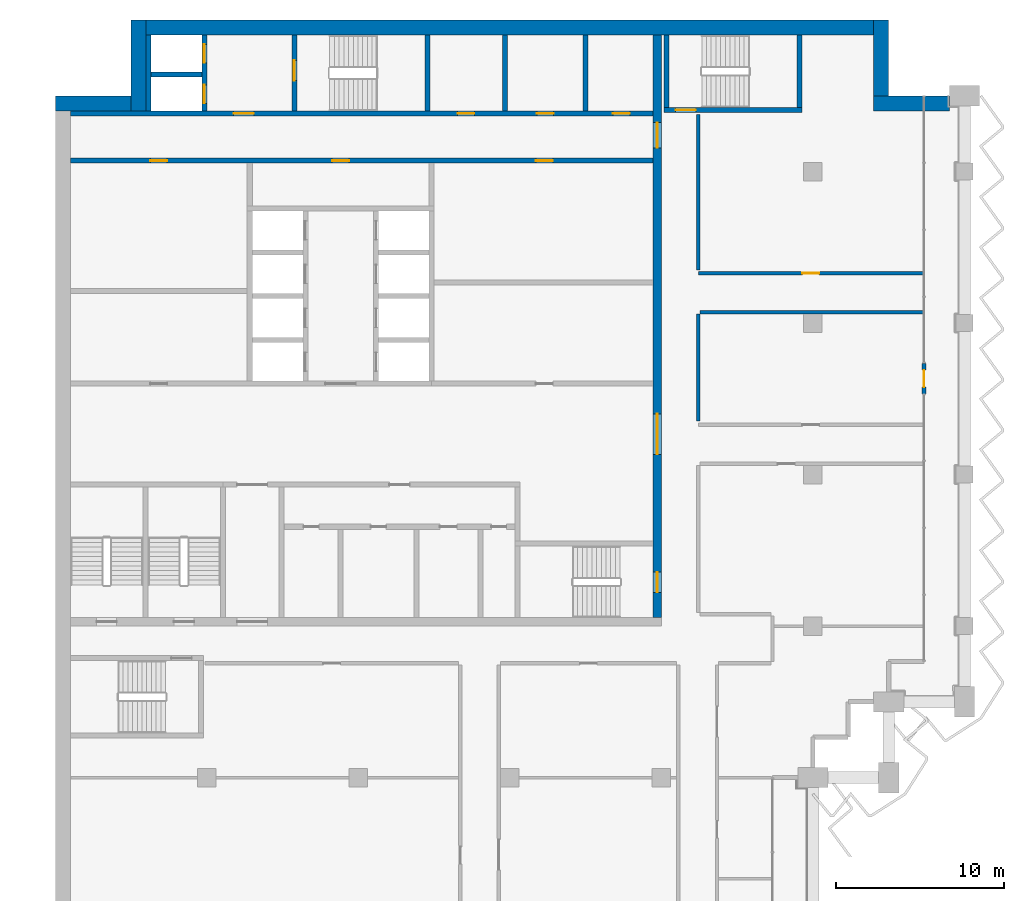
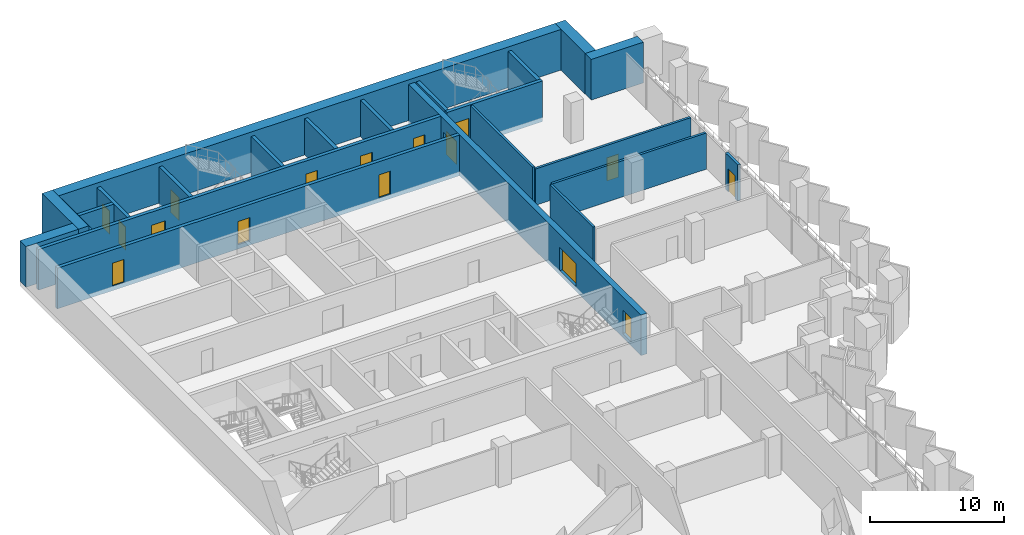
# One storey, part 10 of 17: 23 walls, 16 doors, 16 openings.
"""IFC4 building model written with IfcOpenShell, lengths in metres."""

from ifc_helpers import new_model, si_unit, direction, frame, frame_2d, origin, place, context, subcontext, project, spatial, rectangle, extrude, material, layer, layer_set, type_object, element, fill, save


model = new_model("IFC4")

# Units and contexts
model_context = context("Model", 3, precision=1e-05, world=origin(), true_north=direction((0.0, 1.0)))
body_context = subcontext(model_context, "Body", "Model", "MODEL_VIEW")
ifc_project = project(units=[si_unit("LENGTHUNIT", "METRE"), si_unit("AREAUNIT", "SQUARE_METRE"), si_unit("VOLUMEUNIT", "CUBIC_METRE"), si_unit("PLANEANGLEUNIT", "RADIAN"), si_unit("MASSUNIT", "GRAM", prefix="KILO")], contexts=[model_context])

# Site, building, storey
site_placement = place(None, origin())
site = spatial("IfcSite", under=ifc_project, at=site_placement, CompositionType="ELEMENT")
building_placement = place(site_placement, origin())
building = spatial("IfcBuilding", under=site, at=building_placement, Name="Hunhe Ridgeline Campus", CompositionType="ELEMENT")
storey_placement = place(building_placement, frame((0.0, 0.0, 201.300048828125)))
storey = spatial("IfcBuildingStorey", under=building, at=storey_placement, Name="L51", CompositionType="ELEMENT", Elevation=201.300048828125)

# Walls
ifc_material_1 = material(Name="Masonry concrete blockwork", Category="masonry")
ifc_layer_1 = layer(ifc_material_1, 0.300048828125)
ifc_layer_set_1 = layer_set([ifc_layer_1], Name="Core room partition 300 concrete block")
wall_type_1 = type_object("IfcWallType", Name="Core room partition 300 concrete block", PredefinedType="PARTITIONING", material=ifc_layer_set_1)
for number, where, z_axis, x_axis, name in (
    (1, (26.699951171875, 93.60009765625, 0.0), (0.0, 0.0, 1.0), (0.0, 1.0, 0.0), "L51 core partition 47"),
    (2, (31.5, 93.60009765625, 0.0), (0.0, 0.0, 1.0), (0.0, 1.0, 0.0), "L51 core partition 50"),
):
    element("IfcWall", number, at=place(storey_placement, frame(where, z_axis=z_axis, x_axis=x_axis)), inside=storey, type_object=wall_type_1, Name=name, PredefinedType="PARTITIONING", context=body_context, shape_type="SweptSolid", body=[
        extrude(rectangle(XDim=4.5, YDim=0.300048828125, at=frame_2d((2.25, 0.0))), origin(), (0.0, 0.0, 1.0), 3.300048828125),
    ])

# Wall, openings, doors
ifc_material_2 = material(Name="Concrete C60", Category="concrete")
ifc_layer_2 = layer(ifc_material_2, 0.5)
ifc_layer_set_2 = layer_set([ifc_layer_2], Name="Core wall 500 reinforced concrete C60")
wall_type_2 = type_object("IfcWallType", Name="Core wall 500 reinforced concrete C60", PredefinedType="SOLIDWALL", material=ifc_layer_set_2)
wall_1_placement = place(storey_placement, frame((35.75, 63.5, -0.400146484375), z_axis=(0.0, 0.0, 1.0), x_axis=(0.0, 1.0, 0.0)))
wall_1 = element("IfcWall", 3, at=wall_1_placement, inside=storey, type_object=wall_type_2, Name="L51 core wall 51", PredefinedType="SOLIDWALL", context=body_context, shape_type="SweptSolid", body=[
    extrude(rectangle(XDim=34.60009765625, YDim=0.5, at=frame_2d((17.300048828125, 0.0))), origin(), (0.0, 0.0, 1.0), 3.7001953125),
])
opening_1_placement = place(wall_1_placement, frame((9.699951171875, 0.0, 0.39990234375)))
opening_1 = element("IfcOpeningElement", 4, at=opening_1_placement, cuts=wall_1, Name="Opening CD4", PredefinedType="OPENING", context=body_context, shape_type="SweptSolid", body=[
    extrude(rectangle(XDim=2.39990234375, YDim=2.10009765625, at=frame_2d((1.199951171875, 1.050048828125))), frame((0.0, 0.25, 0.0), z_axis=(0.0, -1.0, 0.0), x_axis=(1.0, 0.0, 0.0)), (0.0, 0.0, 1.0), 0.5),
])
opening_2_placement = place(wall_1_placement, frame((27.89990234375, 0.0, 0.39990234375)))
opening_2 = element("IfcOpeningElement", 5, at=opening_2_placement, cuts=wall_1, Name="Opening CD5", PredefinedType="OPENING", context=body_context, shape_type="SweptSolid", body=[
    extrude(rectangle(XDim=1.5, YDim=2.10009765625, at=frame_2d((0.75, 1.050048828125))), frame((0.0, 0.25, 0.0), z_axis=(0.0, -1.0, 0.0), x_axis=(1.0, 0.0, 0.0)), (0.0, 0.0, 1.0), 0.5),
])
opening_3_placement = place(wall_1_placement, frame((1.5, 0.0, 0.39990234375)))
opening_3 = element("IfcOpeningElement", 6, at=opening_3_placement, cuts=wall_1, Name="Opening CD15", PredefinedType="OPENING", context=body_context, shape_type="SweptSolid", body=[
    extrude(rectangle(XDim=1.199951171875, YDim=2.10009765625, at=frame_2d((0.60009765625, 1.050048828125))), frame((0.0, 0.25, 0.0), z_axis=(0.0, -1.0, 0.0), x_axis=(1.0, 0.0, 0.0)), (0.0, 0.0, 1.0), 0.5),
])
ifc_material_3 = material(Name="Anodised aluminium and glass", Category="aluminium")
door_type_1 = type_object("IfcDoorType", Name="Glazed double door 2400x2100", OperationType="DOUBLE_DOOR_SINGLE_SWING", PredefinedType="DOOR", material=ifc_material_3)
door_1_placement = place(opening_1_placement, frame((2.39990234375, 0.0, 0.0), z_axis=(0.0, 0.0, 1.0), x_axis=(-1.0, 0.0, 0.0)))
door_1 = element("IfcDoor", 7, at=door_1_placement, inside=storey, type_object=door_type_1, Name="L51 door HALL-FLOOR", OperationType="DOUBLE_DOOR_SINGLE_SWING", OverallHeight=2.10009765625, OverallWidth=2.39990234375, PredefinedType="DOOR", context=body_context, shape_type="SweptSolid", body=[
    extrude(rectangle(XDim=2.39990234375, YDim=2.10009765625, at=frame_2d((1.199951171875, 1.050048828125))), frame((0.0, 0.02490234375, 0.0), z_axis=(0.0, -1.0, 0.0), x_axis=(1.0, 0.0, 0.0)), (0.0, 0.0, 1.0), 0.050048828125),
])
fill(opening_1, door_1)
ifc_material_4 = material(Name="Hollow metal fire door leaf")
door_type_2 = type_object("IfcDoorType", Name="Stair door 1200x2100 FD60", OperationType="SINGLE_SWING_LEFT", PredefinedType="DOOR", material=ifc_material_4)
door_2_placement = place(opening_3_placement, frame((1.199951171875, 0.0, 0.0), z_axis=(0.0, 0.0, 1.0), x_axis=(-1.0, 0.0, 0.0)))
door_2 = element("IfcDoor", 8, at=door_2_placement, inside=storey, type_object=door_type_2, Name="L51 door S2-FLOOR", OperationType="SINGLE_SWING_LEFT", OverallHeight=2.10009765625, OverallWidth=1.199951171875, PredefinedType="DOOR", context=body_context, shape_type="SweptSolid", body=[
    extrude(rectangle(XDim=1.199951171875, YDim=2.10009765625, at=frame_2d((0.60009765625, 1.050048828125))), frame((0.0, 0.02490234375, 0.0), z_axis=(0.0, -1.0, 0.0), x_axis=(1.0, 0.0, 0.0)), (0.0, 0.0, 1.0), 0.050048828125),
])
fill(opening_3, door_2)
ifc_material_5 = material(Name="Solid core timber door leaf", Category="wood")
door_type_3 = type_object("IfcDoorType", Name="Timber door 1500x2100", OperationType="SINGLE_SWING_LEFT", PredefinedType="DOOR", material=ifc_material_5)
door_3_placement = place(opening_2_placement, frame((1.5, 0.0, 0.0), z_axis=(0.0, 0.0, 1.0), x_axis=(-1.0, 0.0, 0.0)))
door_3 = element("IfcDoor", 9, at=door_3_placement, inside=storey, type_object=door_type_3, Name="L51 door C1-FLOOR", OperationType="SINGLE_SWING_LEFT", OverallHeight=2.10009765625, OverallWidth=1.5, PredefinedType="DOOR", context=body_context, shape_type="SweptSolid", body=[
    extrude(rectangle(XDim=1.5, YDim=2.10009765625, at=frame_2d((0.75, 1.050048828125))), frame((0.0, 0.02490234375, 0.0), z_axis=(0.0, -1.0, 0.0), x_axis=(1.0, 0.0, 0.0)), (0.0, 0.0, 1.0), 0.050048828125),
])
fill(opening_2, door_3)

# Wall
ifc_material_6 = material(Name="Gypsum board partition")
ifc_layer_3 = layer(ifc_material_6, 0.199951171875)
ifc_layer_set_3 = layer_set([ifc_layer_3], Name="Corridor partition 200 gypsum board on steel studs")
wall_type_3 = type_object("IfcWallType", Name="Corridor partition 200 gypsum board on steel studs", PredefinedType="PARTITIONING", material=ifc_layer_set_3)
wall_2_placement = place(storey_placement, frame((51.544921875, 81.64990234375, 0.0), z_axis=(0.0, 0.0, 1.0), x_axis=(-1.0, 0.0, 0.0)))
element("IfcWall", 10, at=wall_2_placement, inside=storey, type_object=wall_type_3, Name="F-L51-wall-034", PredefinedType="PARTITIONING", context=body_context, shape_type="SweptSolid", body=[
    extrude(rectangle(XDim=13.244873046875, YDim=0.199951171875, at=frame_2d((6.62255859375, 0.0))), origin(), (0.0, 0.0, 1.0), 3.300048828125),
])

# Wall, opening, door
wall_3_placement = place(storey_placement, frame((38.199951171875, 83.949951171875, 0.0), z_axis=(0.0, 0.0, 1.0), x_axis=(1.0, 0.0, 0.0)))
wall_3 = element("IfcWall", 11, at=wall_3_placement, inside=storey, type_object=wall_type_3, Name="F-L51-wall-035", PredefinedType="PARTITIONING", context=body_context, shape_type="SweptSolid", body=[
    extrude(rectangle(XDim=13.344970703125, YDim=0.199951171875, at=frame_2d((6.67236328125, 0.0))), origin(), (0.0, 0.0, 1.0), 3.300048828125),
])
opening_4_placement = place(wall_3_placement, frame((6.172607421875, 0.0, 0.0)))
opening_4 = element("IfcOpeningElement", 12, at=opening_4_placement, cuts=wall_3, Name="Opening RD1-018", PredefinedType="OPENING", context=body_context, shape_type="SweptSolid", body=[
    extrude(rectangle(XDim=1.0, YDim=2.10009765625, at=frame_2d((0.5, 1.050048828125))), frame((0.0, 0.10009765625, 0.0), z_axis=(0.0, -1.0, 0.0), x_axis=(1.0, 0.0, 0.0)), (0.0, 0.0, 1.0), 0.199951171875),
])
ifc_material_7 = material(Name="Timber door leaf", Category="wood")
door_type_4 = type_object("IfcDoorType", Name="Single fire door 1000x2100 timber FD60", OperationType="NOTDEFINED", PredefinedType="DOOR", material=ifc_material_7)
door_4_placement = place(opening_4_placement, origin())
door_4 = element("IfcDoor", 13, at=door_4_placement, inside=storey, type_object=door_type_4, Name="F-L51-door-018", OperationType="SINGLE_SWING_LEFT", OverallHeight=2.10009765625, OverallWidth=1.0, PredefinedType="DOOR", context=body_context, shape_type="SweptSolid", body=[
    extrude(rectangle(XDim=1.0, YDim=2.10009765625, at=frame_2d((0.5, 1.050048828125))), frame((0.0, 0.02490234375, 0.0), z_axis=(0.0, -1.0, 0.0), x_axis=(1.0, 0.0, 0.0)), (0.0, 0.0, 1.0), 0.050048828125),
])
fill(opening_4, door_4)

# Walls
wall_4_placement = place(storey_placement, frame((38.199951171875, 81.550048828125, 0.0), z_axis=(0.0, 0.0, 1.0), x_axis=(0.0, -1.0, 0.0)))
element("IfcWall", 14, at=wall_4_placement, inside=storey, type_object=wall_type_3, Name="F-L51-wall-045", PredefinedType="PARTITIONING", context=body_context, shape_type="SweptSolid", body=[
    extrude(rectangle(XDim=6.37060546875, YDim=0.199951171875, at=frame_2d((3.185302734375, 0.0))), origin(), (0.0, 0.0, 1.0), 3.300048828125),
])
wall_5_placement = place(storey_placement, frame((38.199951171875, 93.39599609375, 0.0), z_axis=(0.0, 0.0, 1.0), x_axis=(0.0, -1.0, 0.0)))
element("IfcWall", 15, at=wall_5_placement, inside=storey, type_object=wall_type_3, Name="F-L51-wall-046", PredefinedType="PARTITIONING", context=body_context, shape_type="SweptSolid", body=[
    extrude(rectangle(XDim=9.232421875, YDim=0.199951171875, at=frame_2d((4.6162109375, 0.0))), origin(), (0.0, 0.0, 1.0), 3.300048828125),
])

# Wall, openings, doors
ifc_layer_4 = layer(ifc_material_2, 0.300048828125)
ifc_layer_set_4 = layer_set([ifc_layer_4], Name="Lobby wall 300 reinforced concrete C60")
wall_type_4 = type_object("IfcWallType", Name="Lobby wall 300 reinforced concrete C60", PredefinedType="SOLIDWALL", material=ifc_layer_set_4)
wall_6_placement = place(storey_placement, frame((0.89990234375, 90.64990234375, -0.400146484375), z_axis=(0.0, 0.0, 1.0), x_axis=(1.0, 0.0, 0.0)))
wall_6 = element("IfcWall", 16, at=wall_6_placement, inside=storey, type_object=wall_type_4, Name="L51 core wall 23", PredefinedType="SOLIDWALL", context=body_context, shape_type="SweptSolid", body=[
    extrude(rectangle(XDim=34.60009765625, YDim=0.300048828125, at=frame_2d((17.300048828125, 0.0))), origin(), (0.0, 0.0, 1.0), 3.7001953125),
])
opening_5_placement = place(wall_6_placement, frame((15.550048828125, 0.0, 0.39990234375)))
opening_5 = element("IfcOpeningElement", 17, at=opening_5_placement, cuts=wall_6, Name="Opening CD26", PredefinedType="OPENING", context=body_context, shape_type="SweptSolid", body=[
    extrude(rectangle(XDim=1.0, YDim=2.10009765625, at=frame_2d((0.5, 1.050048828125))), frame((0.0, 0.14990234375, 0.0), z_axis=(0.0, -1.0, 0.0), x_axis=(1.0, 0.0, 0.0)), (0.0, 0.0, 1.0), 0.300048828125),
])
opening_6_placement = place(wall_6_placement, frame((4.75, 0.0, 0.39990234375)))
opening_6 = element("IfcOpeningElement", 18, at=opening_6_placement, cuts=wall_6, Name="Opening CD40", PredefinedType="OPENING", context=body_context, shape_type="SweptSolid", body=[
    extrude(rectangle(XDim=1.0, YDim=2.10009765625, at=frame_2d((0.5, 1.050048828125))), frame((0.0, 0.14990234375, 0.0), z_axis=(0.0, -1.0, 0.0), x_axis=(1.0, 0.0, 0.0)), (0.0, 0.0, 1.0), 0.300048828125),
])
opening_7_placement = place(wall_6_placement, frame((27.64990234375, 0.0, 0.39990234375)))
opening_7 = element("IfcOpeningElement", 19, at=opening_7_placement, cuts=wall_6, Name="Opening CD33", PredefinedType="OPENING", context=body_context, shape_type="SweptSolid", body=[
    extrude(rectangle(XDim=1.0, YDim=2.10009765625, at=frame_2d((0.5, 1.050048828125))), frame((0.0, 0.14990234375, 0.0), z_axis=(0.0, -1.0, 0.0), x_axis=(1.0, 0.0, 0.0)), (0.0, 0.0, 1.0), 0.300048828125),
])
door_type_5 = type_object("IfcDoorType", Name="Timber door 1000x2100", OperationType="SINGLE_SWING_LEFT", PredefinedType="DOOR", material=ifc_material_5)
door_5_placement = place(opening_5_placement, frame((1.0, 0.0, 0.0), z_axis=(0.0, 0.0, 1.0), x_axis=(-1.0, 0.0, 0.0)))
door_5 = element("IfcDoor", 20, at=door_5_placement, inside=storey, type_object=door_type_5, Name="L51 door NR-0", OperationType="SINGLE_SWING_LEFT", OverallHeight=2.10009765625, OverallWidth=1.0, PredefinedType="DOOR", context=body_context, shape_type="SweptSolid", body=[
    extrude(rectangle(XDim=1.0, YDim=2.10009765625, at=frame_2d((0.5, 1.050048828125))), frame((0.0, 0.02490234375, 0.0), z_axis=(0.0, -1.0, 0.0), x_axis=(1.0, 0.0, 0.0)), (0.0, 0.0, 1.0), 0.050048828125),
])
fill(opening_5, door_5)
door_6_placement = place(opening_6_placement, frame((1.0, 0.0, 0.0), z_axis=(0.0, 0.0, 1.0), x_axis=(-1.0, 0.0, 0.0)))
door_6 = element("IfcDoor", 21, at=door_6_placement, inside=storey, type_object=door_type_5, Name="L51 door VD-LR1", OperationType="SINGLE_SWING_LEFT", OverallHeight=2.10009765625, OverallWidth=1.0, PredefinedType="DOOR", context=body_context, shape_type="SweptSolid", body=[
    extrude(rectangle(XDim=1.0, YDim=2.10009765625, at=frame_2d((0.5, 1.050048828125))), frame((0.0, 0.02490234375, 0.0), z_axis=(0.0, -1.0, 0.0), x_axis=(1.0, 0.0, 0.0)), (0.0, 0.0, 1.0), 0.050048828125),
])
fill(opening_6, door_6)
door_7_placement = place(opening_7_placement, frame((1.0, 0.0, 0.0), z_axis=(0.0, 0.0, 1.0), x_axis=(-1.0, 0.0, 0.0)))
door_7 = element("IfcDoor", 22, at=door_7_placement, inside=storey, type_object=door_type_5, Name="L51 door ES1", OperationType="SINGLE_SWING_RIGHT", OverallHeight=2.10009765625, OverallWidth=1.0, PredefinedType="DOOR", context=body_context, shape_type="SweptSolid", body=[
    extrude(rectangle(XDim=1.0, YDim=2.10009765625, at=frame_2d((0.5, 1.050048828125))), frame((0.0, 0.02490234375, 0.0), z_axis=(0.0, -1.0, 0.0), x_axis=(1.0, 0.0, 0.0)), (0.0, 0.0, 1.0), 0.050048828125),
])
fill(opening_7, door_7)

# Wall, opening, door
ifc_material_8 = material(Name="Concrete C30", Category="concrete")
ifc_layer_5 = layer(ifc_material_8, 0.25)
ifc_layer_set_5 = layer_set([ifc_layer_5], Name="Loggia door pier wall 250 Concrete C30")
wall_type_5 = type_object("IfcWallType", Name="Loggia door pier wall 250 Concrete C30", PredefinedType="SOLIDWALL", material=ifc_layer_set_5)
wall_7_placement = place(storey_placement, frame((51.59912109375, 76.800537109375, 0.0), z_axis=(0.0, 0.0, 1.0), x_axis=(0.0, 1.0, 0.0)))
wall_7 = element("IfcWall", 23, at=wall_7_placement, inside=storey, type_object=wall_type_5, Name="Loggia door pier 3", PredefinedType="SOLIDWALL", context=body_context, shape_type="SweptSolid", body=[
    extrude(rectangle(XDim=1.800048828125, YDim=0.25, at=frame_2d((0.89990234375, 0.0))), origin(), (0.0, 0.0, 1.0), 3.300048828125),
])
opening_8_placement = place(wall_7_placement, frame((0.39990234375, 0.0, 0.0)))
opening_8 = element("IfcOpeningElement", 24, at=opening_8_placement, cuts=wall_7, Name="Opening BD406", PredefinedType="OPENING", context=body_context, shape_type="SweptSolid", body=[
    extrude(rectangle(XDim=1.0, YDim=2.10009765625, at=frame_2d((0.5, 1.050048828125))), frame((0.0, 0.125, 0.0), z_axis=(0.0, -1.0, 0.0), x_axis=(1.0, 0.0, 0.0)), (0.0, 0.0, 1.0), 0.25),
])
ifc_material_9 = material(Name="Aluminium 6063", Category="aluminium")
door_type_6 = type_object("IfcDoorType", Name="Loggia glazed door 1000x2100", OperationType="NOTDEFINED", PredefinedType="DOOR", material=ifc_material_9)
door_8_placement = place(opening_8_placement, frame((1.0, 0.0, 0.0), z_axis=(0.0, 0.0, 1.0), x_axis=(-1.0, 0.0, 0.0)))
door_8 = element("IfcDoor", 25, at=door_8_placement, inside=storey, type_object=door_type_6, Name="Loggia door BD406", OperationType="SINGLE_SWING_LEFT", OverallHeight=2.10009765625, OverallWidth=1.0, PredefinedType="DOOR", context=body_context, shape_type="SweptSolid", body=[
    extrude(rectangle(XDim=1.0, YDim=2.10009765625, at=frame_2d((0.5, 1.050048828125))), frame((0.0, 0.02490234375, 0.0), z_axis=(0.0, -1.0, 0.0), x_axis=(1.0, 0.0, 0.0)), (0.0, 0.0, 1.0), 0.050048828125),
])
fill(opening_8, door_8)

# Wall, openings, doors
ifc_layer_6 = layer(ifc_material_2, 0.300048828125)
ifc_layer_set_6 = layer_set([ifc_layer_6], Name="Shaft wall 300 reinforced concrete C60")
wall_type_6 = type_object("IfcWallType", Name="Shaft wall 300 reinforced concrete C60", PredefinedType="SOLIDWALL", material=ifc_layer_set_6)
wall_8_placement = place(storey_placement, frame((0.89990234375, 93.449951171875, -0.400146484375), z_axis=(0.0, 0.0, 1.0), x_axis=(1.0, 0.0, 0.0)))
wall_8 = element("IfcWall", 26, at=wall_8_placement, inside=storey, type_object=wall_type_6, Name="L51 core wall 24", PredefinedType="SOLIDWALL", context=body_context, shape_type="SweptSolid", body=[
    extrude(rectangle(XDim=34.60009765625, YDim=0.300048828125, at=frame_2d((17.300048828125, 0.0))), origin(), (0.0, 0.0, 1.0), 3.7001953125),
])
opening_9_placement = place(wall_8_placement, frame((9.699951171875, 0.0, 0.39990234375)))
opening_9 = element("IfcOpeningElement", 27, at=opening_9_placement, cuts=wall_8, Name="Opening CD3", PredefinedType="OPENING", context=body_context, shape_type="SweptSolid", body=[
    extrude(rectangle(XDim=1.199951171875, YDim=2.10009765625, at=frame_2d((0.60009765625, 1.050048828125))), frame((0.0, 0.14990234375, 0.0), z_axis=(0.0, -1.0, 0.0), x_axis=(1.0, 0.0, 0.0)), (0.0, 0.0, 1.0), 0.300048828125),
])
opening_10_placement = place(wall_8_placement, frame((23.0, 0.0, 0.39990234375)))
opening_10 = element("IfcOpeningElement", 28, at=opening_10_placement, cuts=wall_8, Name="Opening CD34", PredefinedType="OPENING", context=body_context, shape_type="SweptSolid", body=[
    extrude(rectangle(XDim=1.0, YDim=2.10009765625, at=frame_2d((0.5, 1.050048828125))), frame((0.0, 0.14990234375, 0.0), z_axis=(0.0, -1.0, 0.0), x_axis=(1.0, 0.0, 0.0)), (0.0, 0.0, 1.0), 0.300048828125),
])
opening_11_placement = place(wall_8_placement, frame((27.699951171875, 0.0, 0.39990234375)))
opening_11 = element("IfcOpeningElement", 29, at=opening_11_placement, cuts=wall_8, Name="Opening CD35", PredefinedType="OPENING", context=body_context, shape_type="SweptSolid", body=[
    extrude(rectangle(XDim=1.0, YDim=2.10009765625, at=frame_2d((0.5, 1.050048828125))), frame((0.0, 0.14990234375, 0.0), z_axis=(0.0, -1.0, 0.0), x_axis=(1.0, 0.0, 0.0)), (0.0, 0.0, 1.0), 0.300048828125),
])
opening_12_placement = place(wall_8_placement, frame((32.22509765625, 0.0, 0.39990234375)))
opening_12 = element("IfcOpeningElement", 30, at=opening_12_placement, cuts=wall_8, Name="Opening CD36", PredefinedType="OPENING", context=body_context, shape_type="SweptSolid", body=[
    extrude(rectangle(XDim=1.0, YDim=2.10009765625, at=frame_2d((0.5, 1.050048828125))), frame((0.0, 0.14990234375, 0.0), z_axis=(0.0, -1.0, 0.0), x_axis=(1.0, 0.0, 0.0)), (0.0, 0.0, 1.0), 0.300048828125),
])
door_type_7 = type_object("IfcDoorType", Name="Lobby door 1200x2100 FD60", OperationType="SINGLE_SWING_LEFT", PredefinedType="DOOR", material=ifc_material_4)
door_9_placement = place(opening_9_placement, frame((1.199951171875, 0.0, 0.0), z_axis=(0.0, 0.0, 1.0), x_axis=(-1.0, 0.0, 0.0)))
door_9 = element("IfcDoor", 31, at=door_9_placement, inside=storey, type_object=door_type_7, Name="L51 door FF-C1", OperationType="SINGLE_SWING_RIGHT", OverallHeight=2.10009765625, OverallWidth=1.199951171875, PredefinedType="DOOR", context=body_context, shape_type="SweptSolid", body=[
    extrude(rectangle(XDim=1.199951171875, YDim=2.10009765625, at=frame_2d((0.60009765625, 1.050048828125))), frame((0.0, 0.02490234375, 0.0), z_axis=(0.0, -1.0, 0.0), x_axis=(1.0, 0.0, 0.0)), (0.0, 0.0, 1.0), 0.050048828125),
])
fill(opening_9, door_9)
door_10_placement = place(opening_10_placement, origin())
door_10 = element("IfcDoor", 32, at=door_10_placement, inside=storey, type_object=door_type_5, Name="L51 door NB0", OperationType="SINGLE_SWING_RIGHT", OverallHeight=2.10009765625, OverallWidth=1.0, PredefinedType="DOOR", context=body_context, shape_type="SweptSolid", body=[
    extrude(rectangle(XDim=1.0, YDim=2.10009765625, at=frame_2d((0.5, 1.050048828125))), frame((0.0, 0.02490234375, 0.0), z_axis=(0.0, -1.0, 0.0), x_axis=(1.0, 0.0, 0.0)), (0.0, 0.0, 1.0), 0.050048828125),
])
fill(opening_10, door_10)
door_11_placement = place(opening_11_placement, origin())
door_11 = element("IfcDoor", 33, at=door_11_placement, inside=storey, type_object=door_type_5, Name="L51 door NB1", OperationType="SINGLE_SWING_LEFT", OverallHeight=2.10009765625, OverallWidth=1.0, PredefinedType="DOOR", context=body_context, shape_type="SweptSolid", body=[
    extrude(rectangle(XDim=1.0, YDim=2.10009765625, at=frame_2d((0.5, 1.050048828125))), frame((0.0, 0.02490234375, 0.0), z_axis=(0.0, -1.0, 0.0), x_axis=(1.0, 0.0, 0.0)), (0.0, 0.0, 1.0), 0.050048828125),
])
fill(opening_11, door_11)
door_12_placement = place(opening_12_placement, origin())
door_12 = element("IfcDoor", 34, at=door_12_placement, inside=storey, type_object=door_type_5, Name="L51 door NB2", OperationType="SINGLE_SWING_RIGHT", OverallHeight=2.10009765625, OverallWidth=1.0, PredefinedType="DOOR", context=body_context, shape_type="SweptSolid", body=[
    extrude(rectangle(XDim=1.0, YDim=2.10009765625, at=frame_2d((0.5, 1.050048828125))), frame((0.0, 0.02490234375, 0.0), z_axis=(0.0, -1.0, 0.0), x_axis=(1.0, 0.0, 0.0)), (0.0, 0.0, 1.0), 0.050048828125),
])
fill(opening_12, door_12)

# Walls
wall_9_placement = place(storey_placement, frame((5.699951171875, 95.75, -0.400146484375), z_axis=(0.0, 0.0, 1.0), x_axis=(1.0, 0.0, 0.0)))
element("IfcWall", 35, at=wall_9_placement, inside=storey, type_object=wall_type_6, Name="L51 core wall 26", PredefinedType="SOLIDWALL", context=body_context, shape_type="SweptSolid", body=[
    extrude(rectangle(XDim=3.0, YDim=0.300048828125, at=frame_2d((1.5, 0.0))), origin(), (0.0, 0.0, 1.0), 3.7001953125),
])
wall_10_placement = place(storey_placement, frame((5.550048828125, 93.60009765625, -0.400146484375), z_axis=(0.0, 0.0, 1.0), x_axis=(0.0, 1.0, 0.0)))
element("IfcWall", 36, at=wall_10_placement, inside=storey, type_object=wall_type_6, Name="L51 core wall 28", PredefinedType="SOLIDWALL", context=body_context, shape_type="SweptSolid", body=[
    extrude(rectangle(XDim=4.5, YDim=0.300048828125, at=frame_2d((2.25, 0.0))), origin(), (0.0, 0.0, 1.0), 3.7001953125),
])

# Wall, openings, doors
wall_11_placement = place(storey_placement, frame((8.85009765625, 93.60009765625, -0.400146484375), z_axis=(0.0, 0.0, 1.0), x_axis=(0.0, 1.0, 0.0)))
wall_11 = element("IfcWall", 37, at=wall_11_placement, inside=storey, type_object=wall_type_6, Name="L51 core wall 31", PredefinedType="SOLIDWALL", context=body_context, shape_type="SweptSolid", body=[
    extrude(rectangle(XDim=4.5, YDim=0.300048828125, at=frame_2d((2.25, 0.0))), origin(), (0.0, 0.0, 1.0), 3.7001953125),
])
opening_13_placement = place(wall_11_placement, frame((0.449951171875, 0.0, 0.39990234375)))
opening_13 = element("IfcOpeningElement", 38, at=opening_13_placement, cuts=wall_11, Name="Opening LD-FF1", PredefinedType="OPENING", context=body_context, shape_type="SweptSolid", body=[
    extrude(rectangle(XDim=1.10009765625, YDim=2.10009765625, at=frame_2d((0.550048828125, 1.050048828125))), frame((0.0, 0.14990234375, 0.0), z_axis=(0.0, -1.0, 0.0), x_axis=(1.0, 0.0, 0.0)), (0.0, 0.0, 1.0), 0.300048828125),
])
opening_14_placement = place(wall_11_placement, frame((2.85009765625, 0.0, 0.39990234375)))
opening_14 = element("IfcOpeningElement", 39, at=opening_14_placement, cuts=wall_11, Name="Opening LD-FF2", PredefinedType="OPENING", context=body_context, shape_type="SweptSolid", body=[
    extrude(rectangle(XDim=1.10009765625, YDim=2.10009765625, at=frame_2d((0.550048828125, 1.050048828125))), frame((0.0, 0.14990234375, 0.0), z_axis=(0.0, -1.0, 0.0), x_axis=(1.0, 0.0, 0.0)), (0.0, 0.0, 1.0), 0.300048828125),
])
ifc_material_10 = material(Name="Stainless steel sliding leaves", Category="steel")
door_type_8 = type_object("IfcDoorType", Name="Landing door 1100x2100 FD120", OperationType="SLIDING_TO_LEFT", PredefinedType="DOOR", material=ifc_material_10)
door_13_placement = place(opening_13_placement, origin())
door_13 = element("IfcDoor", 40, at=door_13_placement, inside=storey, type_object=door_type_8, Name="L51 landing door FF1", OperationType="SLIDING_TO_RIGHT", OverallHeight=2.10009765625, OverallWidth=1.10009765625, PredefinedType="DOOR", context=body_context, shape_type="SweptSolid", body=[
    extrude(rectangle(XDim=1.10009765625, YDim=2.10009765625, at=frame_2d((0.550048828125, 1.050048828125))), frame((0.0, 0.02490234375, 0.0), z_axis=(0.0, -1.0, 0.0), x_axis=(1.0, 0.0, 0.0)), (0.0, 0.0, 1.0), 0.050048828125),
])
fill(opening_13, door_13)
door_14_placement = place(opening_14_placement, origin())
door_14 = element("IfcDoor", 41, at=door_14_placement, inside=storey, type_object=door_type_8, Name="L51 landing door FF2", OperationType="SLIDING_TO_LEFT", OverallHeight=2.10009765625, OverallWidth=1.10009765625, PredefinedType="DOOR", context=body_context, shape_type="SweptSolid", body=[
    extrude(rectangle(XDim=1.10009765625, YDim=2.10009765625, at=frame_2d((0.550048828125, 1.050048828125))), frame((0.0, 0.02490234375, 0.0), z_axis=(0.0, -1.0, 0.0), x_axis=(1.0, 0.0, 0.0)), (0.0, 0.0, 1.0), 0.050048828125),
])
fill(opening_14, door_14)

# Walls
ifc_layer_7 = layer(ifc_material_2, 0.89990234375)
ifc_layer_set_7 = layer_set([ifc_layer_7], Name="Spine wall 900 Concrete C60")
wall_type_7 = type_object("IfcWallType", Name="Spine wall 900 Concrete C60", PredefinedType="SHEAR", material=ifc_layer_set_7)
wall_12_placement = place(storey_placement, frame((53.10009765625, 94.050048828125, 0.0), z_axis=(0.0, 0.0, 1.0), x_axis=(-1.0, 0.0, 0.0)))
element("IfcWall", 42, at=wall_12_placement, inside=storey, type_object=wall_type_7, Name="Spine wall SW3-2 L51", PredefinedType="SHEAR", context=body_context, shape_type="SweptSolid", body=[
    extrude(rectangle(XDim=4.5, YDim=0.89990234375, at=frame_2d((2.25, 0.0))), origin(), (0.0, 0.0, 1.0), 3.699951171875),
])
wall_13_placement = place(storey_placement, frame((49.050048828125, 93.60009765625, 0.0), z_axis=(0.0, 0.0, 1.0), x_axis=(0.0, 1.0, 0.0)))
element("IfcWall", 43, at=wall_13_placement, inside=storey, type_object=wall_type_7, Name="Spine wall SW3-3 L51", PredefinedType="SHEAR", context=body_context, shape_type="SweptSolid", body=[
    extrude(rectangle(XDim=5.39990234375, YDim=0.89990234375, at=frame_2d((2.699951171875, 0.0))), origin(), (0.0, 0.0, 1.0), 3.699951171875),
])
wall_14_placement = place(storey_placement, frame((49.5, 98.550048828125, 0.0), z_axis=(0.0, 0.0, 1.0), x_axis=(-1.0, 0.0, 0.0)))
element("IfcWall", 44, at=wall_14_placement, inside=storey, type_object=wall_type_7, Name="Spine wall SW3-4 L51", PredefinedType="SHEAR", context=body_context, shape_type="SweptSolid", body=[
    extrude(rectangle(XDim=45.0, YDim=0.89990234375, at=frame_2d((22.5, 0.0))), origin(), (0.0, 0.0, 1.0), 3.699951171875),
])
for number, where, z_axis, x_axis, name in (
    (45, (4.949951171875, 99.0, 0.0), (0.0, 0.0, 1.0), (0.0, -1.0, 0.0), "Spine wall SW3-5 L51"),
    (46, (5.400146484375, 94.050048828125, 0.0), (0.0, 0.0, 1.0), (-1.0, 0.0, 0.0), "Spine wall SW3-6 L51"),
):
    element("IfcWall", number, at=place(storey_placement, frame(where, z_axis=z_axis, x_axis=x_axis)), inside=storey, type_object=wall_type_7, Name=name, PredefinedType="SHEAR", context=body_context, shape_type="SweptSolid", body=[
        extrude(rectangle(XDim=5.400146484375, YDim=0.89990234375, at=frame_2d((2.7001953125, 0.0))), origin(), (0.0, 0.0, 1.0), 3.699951171875),
    ])

# Wall, opening, door
ifc_layer_8 = layer(ifc_material_2, 0.300048828125)
ifc_layer_set_8 = layer_set([ifc_layer_8], Name="Stair wall 300 reinforced concrete C60")
wall_type_8 = type_object("IfcWallType", Name="Stair wall 300 reinforced concrete C60", PredefinedType="SOLIDWALL", material=ifc_layer_set_8)
wall_15_placement = place(storey_placement, frame((36.14990234375, 93.64990234375, -0.400146484375), z_axis=(0.0, 0.0, 1.0), x_axis=(1.0, 0.0, 0.0)))
wall_15 = element("IfcWall", 47, at=wall_15_placement, inside=storey, type_object=wall_type_8, Name="L51 core wall 25", PredefinedType="SOLIDWALL", context=body_context, shape_type="SweptSolid", body=[
    extrude(rectangle(XDim=8.2001953125, YDim=0.300048828125, at=frame_2d((4.10009765625, 0.0))), origin(), (0.0, 0.0, 1.0), 3.7001953125),
])
opening_15_placement = place(wall_15_placement, frame((0.699951171875, 0.0, 0.39990234375)))
opening_15 = element("IfcOpeningElement", 48, at=opening_15_placement, cuts=wall_15, Name="Opening CD17", PredefinedType="OPENING", context=body_context, shape_type="SweptSolid", body=[
    extrude(rectangle(XDim=1.199951171875, YDim=2.10009765625, at=frame_2d((0.60009765625, 1.050048828125))), frame((0.0, 0.14990234375, 0.0), z_axis=(0.0, -1.0, 0.0), x_axis=(1.0, 0.0, 0.0)), (0.0, 0.0, 1.0), 0.300048828125),
])
door_15_placement = place(opening_15_placement, frame((1.199951171875, 0.0, 0.0), z_axis=(0.0, 0.0, 1.0), x_axis=(-1.0, 0.0, 0.0)))
door_15 = element("IfcDoor", 49, at=door_15_placement, inside=storey, type_object=door_type_2, Name="L51 door E1", OperationType="SINGLE_SWING_LEFT", OverallHeight=2.10009765625, OverallWidth=1.199951171875, PredefinedType="DOOR", context=body_context, shape_type="SweptSolid", body=[
    extrude(rectangle(XDim=1.199951171875, YDim=2.10009765625, at=frame_2d((0.60009765625, 1.050048828125))), frame((0.0, 0.02490234375, 0.0), z_axis=(0.0, -1.0, 0.0), x_axis=(1.0, 0.0, 0.0)), (0.0, 0.0, 1.0), 0.050048828125),
])
fill(opening_15, door_15)

wall_16_placement = place(storey_placement, frame((14.199951171875, 93.60009765625, -0.400146484375), z_axis=(0.0, 0.0, 1.0), x_axis=(0.0, 1.0, 0.0)))
wall_16 = element("IfcWall", 50, at=wall_16_placement, inside=storey, type_object=wall_type_8, Name="L51 core wall 36", PredefinedType="SOLIDWALL", context=body_context, shape_type="SweptSolid", body=[
    extrude(rectangle(XDim=4.5, YDim=0.300048828125, at=frame_2d((2.25, 0.0))), origin(), (0.0, 0.0, 1.0), 3.7001953125),
])
opening_16_placement = place(wall_16_placement, frame((1.800048828125, 0.0, 0.39990234375)))
opening_16 = element("IfcOpeningElement", 51, at=opening_16_placement, cuts=wall_16, Name="Opening CD16", PredefinedType="OPENING", context=body_context, shape_type="SweptSolid", body=[
    extrude(rectangle(XDim=1.199951171875, YDim=2.10009765625, at=frame_2d((0.60009765625, 1.050048828125))), frame((0.0, 0.14990234375, 0.0), z_axis=(0.0, -1.0, 0.0), x_axis=(1.0, 0.0, 0.0)), (0.0, 0.0, 1.0), 0.300048828125),
])
door_16_placement = place(opening_16_placement, origin())
door_16 = element("IfcDoor", 52, at=door_16_placement, inside=storey, type_object=door_type_2, Name="L51 door S1-FF", OperationType="SINGLE_SWING_RIGHT", OverallHeight=2.10009765625, OverallWidth=1.199951171875, PredefinedType="DOOR", context=body_context, shape_type="SweptSolid", body=[
    extrude(rectangle(XDim=1.199951171875, YDim=2.10009765625, at=frame_2d((0.60009765625, 1.050048828125))), frame((0.0, 0.02490234375, 0.0), z_axis=(0.0, -1.0, 0.0), x_axis=(1.0, 0.0, 0.0)), (0.0, 0.0, 1.0), 0.050048828125),
])
fill(opening_16, door_16)

# Walls
wall_17_placement = place(storey_placement, frame((22.10009765625, 93.60009765625, -0.400146484375), z_axis=(0.0, 0.0, 1.0), x_axis=(0.0, 1.0, 0.0)))
element("IfcWall", 53, at=wall_17_placement, inside=storey, type_object=wall_type_8, Name="L51 core wall 42", PredefinedType="SOLIDWALL", context=body_context, shape_type="SweptSolid", body=[
    extrude(rectangle(XDim=4.5, YDim=0.300048828125, at=frame_2d((2.25, 0.0))), origin(), (0.0, 0.0, 1.0), 3.7001953125),
])
for number, where, z_axis, x_axis, name in (
    (54, (36.300048828125, 93.800048828125, -0.400146484375), (0.0, 0.0, 1.0), (0.0, 1.0, 0.0), "L51 core wall 52"),
    (55, (44.199951171875, 93.800048828125, -0.400146484375), (0.0, 0.0, 1.0), (0.0, 1.0, 0.0), "L51 core wall 53"),
):
    element("IfcWall", number, at=place(storey_placement, frame(where, z_axis=z_axis, x_axis=x_axis)), inside=storey, type_object=wall_type_8, Name=name, PredefinedType="SOLIDWALL", context=body_context, shape_type="SweptSolid", body=[
        extrude(rectangle(XDim=4.300048828125, YDim=0.300048828125, at=frame_2d((2.14990234375, 0.0))), origin(), (0.0, 0.0, 1.0), 3.7001953125),
    ])

save(model, "model.ifc")
